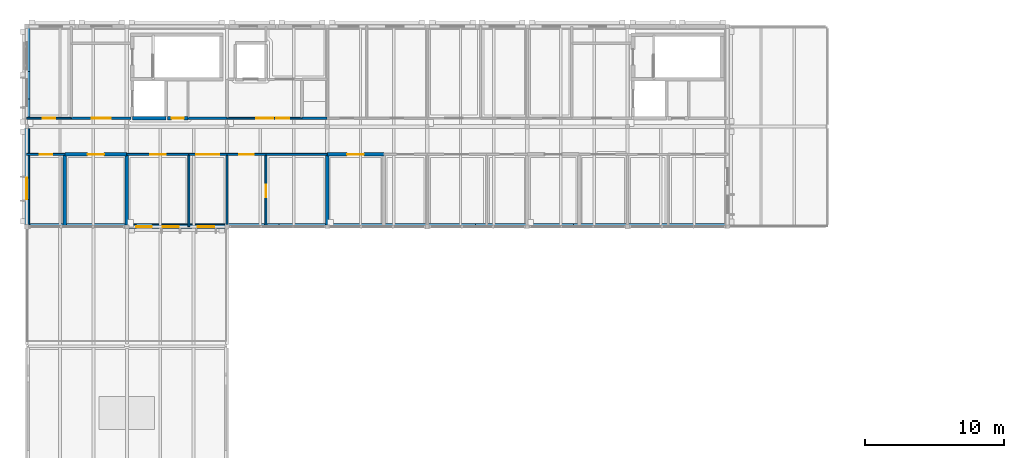
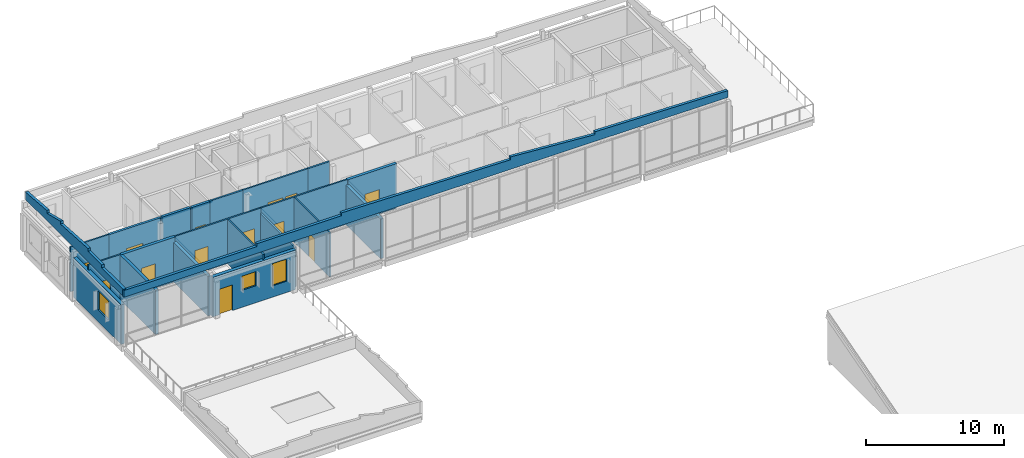
# One storey, part 24 of 32: 24 walls, 13 doors, 3 windows, 16 openings.
"""IFC4 building model written with IfcOpenShell, lengths in metres."""

from ifc_helpers import new_model, si_unit, direction, frame, frame_2d, origin, place, context, subcontext, project, spatial, polyline, rectangle, outline, extrude, material, layer, layer_set, type_object, element, fill, save


model = new_model("IFC4")

# Units and contexts
model_context = context("Model", 3, precision=1e-05, world=origin(), true_north=direction((0.0, 1.0)))
body_context = subcontext(model_context, "Body", "Model", "MODEL_VIEW")
ifc_project = project(units=[si_unit("LENGTHUNIT", "METRE"), si_unit("AREAUNIT", "SQUARE_METRE"), si_unit("VOLUMEUNIT", "CUBIC_METRE"), si_unit("PLANEANGLEUNIT", "RADIAN"), si_unit("MASSUNIT", "GRAM", prefix="KILO")], contexts=[model_context])

# Site, building, storey
site_placement = place(None, origin())
site = spatial("IfcSite", under=ifc_project, at=site_placement, CompositionType="ELEMENT")
building_placement = place(site_placement, origin())
building = spatial("IfcBuilding", under=site, at=building_placement, Name="Hawrajan Terrace Health Centre", CompositionType="ELEMENT")
storey_placement = place(building_placement, frame((0.0, 0.0, 17.39990234375)))
storey = spatial("IfcBuildingStorey", under=building, at=storey_placement, Name="L04", CompositionType="ELEMENT", Elevation=17.39990234375)

# Wall, opening, door
ifc_material_1 = material(Name="Gypsum board on acoustic stud framing")
ifc_layer_1 = layer(ifc_material_1, 0.139892578125)
ifc_layer_set_1 = layer_set([ifc_layer_1], Name="Gypsum board on acoustic stud framing")
wall_type_1 = type_object("IfcWallType", Name="ClinicalAcousticWall_140", PredefinedType="PARTITIONING", material=ifc_layer_set_1)
wall_1_placement = place(storey_placement, frame((4.60009765625, 50.60009765625, 0.0), z_axis=(0.0, 0.0, 1.0), x_axis=(1.0, 0.0, 0.0)))
wall_1 = element("IfcWall", 1, at=wall_1_placement, inside=storey, type_object=wall_type_1, Name="Interior wall IW-L04-1418", PredefinedType="PARTITIONING", context=body_context, shape_type="SweptSolid", body=[
    extrude(rectangle(XDim=2.742919921875, YDim=0.139892578125, at=frame_2d((1.37158203125, 0.0))), origin(), (0.0, 0.0, 1.0), 3.93017578125),
])
opening_1_placement = place(wall_1_placement, frame((0.92138671875, 0.0, 0.0)))
opening_1 = element("IfcOpeningElement", 2, at=opening_1_placement, cuts=wall_1, Name="Opening D-L04-646", PredefinedType="OPENING", context=body_context, shape_type="SweptSolid", body=[
    extrude(rectangle(XDim=0.89990234375, YDim=2.10009765625, at=frame_2d((0.449951171875, 1.050048828125))), frame((0.0, 0.079833984375, 0.0), z_axis=(0.0, -1.0, 0.0), x_axis=(1.0, 0.0, 0.0)), (0.0, 0.0, 1.0), 0.159912109375),
])
ifc_material_2 = material(Name="Hardwood acoustic clinical door leaf and frame", Category="wood")
door_type_1 = type_object("IfcDoorType", Name="PatientWCDoor_900x2100", OperationType="NOTDEFINED", PredefinedType="DOOR", material=ifc_material_2)
door_1_placement = place(opening_1_placement, origin())
door_1 = element("IfcDoor", 3, at=door_1_placement, inside=storey, type_object=door_type_1, Name="Interior door D-L04-646", OperationType="SINGLE_SWING_RIGHT", OverallHeight=2.10009765625, OverallWidth=0.89990234375, PredefinedType="DOOR", context=body_context, shape_type="SweptSolid", body=[
    extrude(rectangle(XDim=0.89990234375, YDim=2.10009765625, at=frame_2d((0.449951171875, 1.050048828125))), frame((0.0, 0.02490234375, 0.0), z_axis=(0.0, -1.0, 0.0), x_axis=(1.0, 0.0, 0.0)), (0.0, 0.0, 1.0), 0.050048828125),
])
fill(opening_1, door_1)

wall_2_placement = place(storey_placement, frame((4.60009765625, 53.199951171875, 0.0), z_axis=(0.0, 0.0, 1.0), x_axis=(1.0, 0.0, 0.0)))
wall_2 = element("IfcWall", 4, at=wall_2_placement, inside=storey, type_object=wall_type_1, Name="Interior wall IW-L04-1419", PredefinedType="PARTITIONING", context=body_context, shape_type="SweptSolid", body=[
    extrude(rectangle(XDim=3.199951171875, YDim=0.139892578125, at=frame_2d((1.60009765625, 0.0))), origin(), (0.0, 0.0, 1.0), 3.93017578125),
])
opening_2_placement = place(wall_2_placement, frame((1.14990234375, 0.0, 0.0)))
opening_2 = element("IfcOpeningElement", 5, at=opening_2_placement, cuts=wall_2, Name="Opening D-L04-648", PredefinedType="OPENING", context=body_context, shape_type="SweptSolid", body=[
    extrude(rectangle(XDim=0.89990234375, YDim=2.10009765625, at=frame_2d((0.449951171875, 1.050048828125))), frame((0.0, 0.079833984375, 0.0), z_axis=(0.0, -1.0, 0.0), x_axis=(1.0, 0.0, 0.0)), (0.0, 0.0, 1.0), 0.159912109375),
])
door_2_placement = place(opening_2_placement, origin())
door_2 = element("IfcDoor", 6, at=door_2_placement, inside=storey, type_object=door_type_1, Name="Interior door D-L04-648", OperationType="SINGLE_SWING_RIGHT", OverallHeight=2.10009765625, OverallWidth=0.89990234375, PredefinedType="DOOR", context=body_context, shape_type="SweptSolid", body=[
    extrude(rectangle(XDim=0.89990234375, YDim=2.10009765625, at=frame_2d((0.449951171875, 1.050048828125))), frame((0.0, 0.02490234375, 0.0), z_axis=(0.0, -1.0, 0.0), x_axis=(1.0, 0.0, 0.0)), (0.0, 0.0, 1.0), 0.050048828125),
])
fill(opening_2, door_2)

wall_3_placement = place(storey_placement, frame((11.800048828125, 50.60009765625, 0.0), z_axis=(0.0, 0.0, 1.0), x_axis=(1.0, 0.0, 0.0)))
wall_3 = element("IfcWall", 7, at=wall_3_placement, inside=storey, type_object=wall_type_1, Name="Interior wall IW-L04-1425", PredefinedType="PARTITIONING", context=body_context, shape_type="SweptSolid", body=[
    extrude(rectangle(XDim=4.45703125, YDim=0.139892578125, at=frame_2d((2.228515625, 0.0))), origin(), (0.0, 0.0, 1.0), 3.93017578125),
])
opening_3_placement = place(wall_3_placement, frame((1.678466796875, 0.0, 0.0)))
opening_3 = element("IfcOpeningElement", 8, at=opening_3_placement, cuts=wall_3, Name="Opening D-L04-649", PredefinedType="OPENING", context=body_context, shape_type="SweptSolid", body=[
    extrude(rectangle(XDim=1.10009765625, YDim=2.10009765625, at=frame_2d((0.550048828125, 1.050048828125))), frame((0.0, 0.079833984375, 0.0), z_axis=(0.0, -1.0, 0.0), x_axis=(1.0, 0.0, 0.0)), (0.0, 0.0, 1.0), 0.159912109375),
])
door_type_2 = type_object("IfcDoorType", Name="ConsultDoor_1100x2100", OperationType="NOTDEFINED", PredefinedType="DOOR", material=ifc_material_2)
door_3_placement = place(opening_3_placement, origin())
door_3 = element("IfcDoor", 9, at=door_3_placement, inside=storey, type_object=door_type_2, Name="Interior door D-L04-649", OperationType="SINGLE_SWING_LEFT", OverallHeight=2.10009765625, OverallWidth=1.10009765625, PredefinedType="DOOR", context=body_context, shape_type="SweptSolid", body=[
    extrude(rectangle(XDim=1.10009765625, YDim=2.10009765625, at=frame_2d((0.550048828125, 1.050048828125))), frame((0.0, 0.02490234375, 0.0), z_axis=(0.0, -1.0, 0.0), x_axis=(1.0, 0.0, 0.0)), (0.0, 0.0, 1.0), 0.050048828125),
])
fill(opening_3, door_3)

# Wall
wall_4_placement = place(storey_placement, frame((16.257080078125, 45.39990234375, 0.0), z_axis=(0.0, 0.0, 1.0), x_axis=(0.0, 1.0, 0.0)))
element("IfcWall", 10, at=wall_4_placement, inside=storey, type_object=wall_type_1, Name="Interior wall IW-L04-1427", PredefinedType="PARTITIONING", context=body_context, shape_type="SweptSolid", body=[
    extrude(rectangle(XDim=5.130126953125, YDim=0.139892578125, at=frame_2d((2.56494140625, 0.0))), origin(), (0.0, 0.0, 1.0), 3.93017578125),
])

# Wall, opening, door
wall_5_placement = place(storey_placement, frame((16.257080078125, 50.60009765625, 0.0), z_axis=(0.0, 0.0, 1.0), x_axis=(1.0, 0.0, 0.0)))
wall_5 = element("IfcWall", 11, at=wall_5_placement, inside=storey, type_object=wall_type_1, Name="Interior wall IW-L04-1428", PredefinedType="PARTITIONING", context=body_context, shape_type="SweptSolid", body=[
    extrude(rectangle(XDim=2.742919921875, YDim=0.139892578125, at=frame_2d((1.37158203125, 0.0))), origin(), (0.0, 0.0, 1.0), 3.93017578125),
])
opening_4_placement = place(wall_5_placement, frame((0.54150390625, 0.0, 0.0)))
opening_4 = element("IfcOpeningElement", 12, at=opening_4_placement, cuts=wall_5, Name="Opening D-L04-650", PredefinedType="OPENING", context=body_context, shape_type="SweptSolid", body=[
    extrude(rectangle(XDim=1.659912109375, YDim=2.300048828125, at=frame_2d((0.830078125, 1.14990234375))), frame((0.0, 0.079833984375, 0.0), z_axis=(0.0, -1.0, 0.0), x_axis=(1.0, 0.0, 0.0)), (0.0, 0.0, 1.0), 0.159912109375),
])
door_type_3 = type_object("IfcDoorType", Name="RehabGymDoor_1660x2300", OperationType="DOUBLE_DOOR_SINGLE_SWING", PredefinedType="DOOR", material=ifc_material_2)
door_4_placement = place(opening_4_placement, origin())
door_4 = element("IfcDoor", 13, at=door_4_placement, inside=storey, type_object=door_type_3, Name="Interior door D-L04-650", OperationType="DOUBLE_DOOR_SINGLE_SWING", OverallHeight=2.300048828125, OverallWidth=1.659912109375, PredefinedType="DOOR", context=body_context, shape_type="SweptSolid", body=[
    extrude(rectangle(XDim=1.659912109375, YDim=2.300048828125, at=frame_2d((0.830078125, 1.14990234375))), frame((0.0, 0.02490234375, 0.0), z_axis=(0.0, -1.0, 0.0), x_axis=(1.0, 0.0, 0.0)), (0.0, 0.0, 1.0), 0.050048828125),
])
fill(opening_4, door_4)

# Wall
wall_6_placement = place(storey_placement, frame((19.0, 45.56005859375, 0.0), z_axis=(0.0, 0.0, 1.0), x_axis=(0.0, 1.0, 0.0)))
element("IfcWall", 14, at=wall_6_placement, inside=storey, type_object=wall_type_1, Name="Interior wall IW-L04-1429", PredefinedType="PARTITIONING", context=body_context, shape_type="SweptSolid", body=[
    extrude(rectangle(XDim=4.969970703125, YDim=0.139892578125, at=frame_2d((2.48486328125, 0.0))), origin(), (0.0, 0.0, 1.0), 3.489990234375),
])

# Wall, opening, door
wall_7_placement = place(storey_placement, frame((19.0, 50.60009765625, 0.0), z_axis=(0.0, 0.0, 1.0), x_axis=(1.0, 0.0, 0.0)))
wall_7 = element("IfcWall", 15, at=wall_7_placement, inside=storey, type_object=wall_type_1, Name="Interior wall IW-L04-1430", PredefinedType="PARTITIONING", context=body_context, shape_type="SweptSolid", body=[
    extrude(rectangle(XDim=2.800048828125, YDim=0.139892578125, at=frame_2d((1.39990234375, 0.0))), origin(), (0.0, 0.0, 1.0), 3.93017578125),
])
opening_5_placement = place(wall_7_placement, frame((0.8798828125, 0.0, 0.0)))
opening_5 = element("IfcOpeningElement", 16, at=opening_5_placement, cuts=wall_7, Name="Opening D-L04-641", PredefinedType="OPENING", context=body_context, shape_type="SweptSolid", body=[
    extrude(rectangle(XDim=1.0400390625, YDim=2.10009765625, at=frame_2d((0.52001953125, 1.050048828125))), frame((0.0, 0.079833984375, 0.0), z_axis=(0.0, -1.0, 0.0), x_axis=(1.0, 0.0, 0.0)), (0.0, 0.0, 1.0), 0.159912109375),
])
door_type_4 = type_object("IfcDoorType", Name="ConsultDoor_1040x2100", OperationType="NOTDEFINED", PredefinedType="DOOR", material=ifc_material_2)
door_5_placement = place(opening_5_placement, origin())
door_5 = element("IfcDoor", 17, at=door_5_placement, inside=storey, type_object=door_type_4, Name="Interior door D-L04-641", OperationType="SINGLE_SWING_LEFT", OverallHeight=2.10009765625, OverallWidth=1.0400390625, PredefinedType="DOOR", context=body_context, shape_type="SweptSolid", body=[
    extrude(rectangle(XDim=1.0400390625, YDim=2.10009765625, at=frame_2d((0.52001953125, 1.050048828125))), frame((0.0, 0.02490234375, 0.0), z_axis=(0.0, -1.0, 0.0), x_axis=(1.0, 0.0, 0.0)), (0.0, 0.0, 1.0), 0.050048828125),
])
fill(opening_5, door_5)

# Wall, openings, doors
wall_8_placement = place(storey_placement, frame((19.0, 53.199951171875, 0.0), z_axis=(0.0, 0.0, 1.0), x_axis=(1.0, 0.0, 0.0)))
wall_8 = element("IfcWall", 18, at=wall_8_placement, inside=storey, type_object=wall_type_1, Name="Interior wall IW-L04-1431", PredefinedType="PARTITIONING", context=body_context, shape_type="SweptSolid", body=[
    extrude(rectangle(XDim=5.39990234375, YDim=0.139892578125, at=frame_2d((2.699951171875, 0.0))), origin(), (0.0, 0.0, 1.0), 3.93017578125),
])
opening_6_placement = place(wall_8_placement, frame((2.090087890625, 0.0, 0.0)))
opening_6 = element("IfcOpeningElement", 19, at=opening_6_placement, cuts=wall_8, Name="Opening D-L04-639", PredefinedType="OPENING", context=body_context, shape_type="SweptSolid", body=[
    extrude(rectangle(XDim=1.219970703125, YDim=2.10009765625, at=frame_2d((0.60986328125, 1.050048828125))), frame((0.0, 0.079833984375, 0.0), z_axis=(0.0, -1.0, 0.0), x_axis=(1.0, 0.0, 0.0)), (0.0, 0.0, 1.0), 0.159912109375),
])
opening_7_placement = place(wall_8_placement, frame((3.544921875, 0.0, 0.0)))
opening_7 = element("IfcOpeningElement", 20, at=opening_7_placement, cuts=wall_8, Name="Opening D-L04-640", PredefinedType="OPENING", context=body_context, shape_type="SweptSolid", body=[
    extrude(rectangle(XDim=0.949951171875, YDim=2.10009765625, at=frame_2d((0.47509765625, 1.050048828125))), frame((0.0, 0.079833984375, 0.0), z_axis=(0.0, -1.0, 0.0), x_axis=(1.0, 0.0, 0.0)), (0.0, 0.0, 1.0), 0.159912109375),
])
door_type_5 = type_object("IfcDoorType", Name="AccessibleWCDoor_950x2100", OperationType="NOTDEFINED", PredefinedType="DOOR", material=ifc_material_2)
door_6_placement = place(opening_7_placement, origin())
door_6 = element("IfcDoor", 21, at=door_6_placement, inside=storey, type_object=door_type_5, Name="Interior door D-L04-640", OperationType="SINGLE_SWING_RIGHT", OverallHeight=2.10009765625, OverallWidth=0.949951171875, PredefinedType="DOOR", context=body_context, shape_type="SweptSolid", body=[
    extrude(rectangle(XDim=0.949951171875, YDim=2.10009765625, at=frame_2d((0.47509765625, 1.050048828125))), frame((0.0, 0.02490234375, 0.0), z_axis=(0.0, -1.0, 0.0), x_axis=(1.0, 0.0, 0.0)), (0.0, 0.0, 1.0), 0.050048828125),
])
fill(opening_7, door_6)
door_type_6 = type_object("IfcDoorType", Name="ConsultDoor_1220x2100", OperationType="NOTDEFINED", PredefinedType="DOOR", material=ifc_material_2)
door_7_placement = place(opening_6_placement, origin())
door_7 = element("IfcDoor", 22, at=door_7_placement, inside=storey, type_object=door_type_6, Name="Interior door D-L04-639", OperationType="SINGLE_SWING_LEFT", OverallHeight=2.10009765625, OverallWidth=1.219970703125, PredefinedType="DOOR", context=body_context, shape_type="SweptSolid", body=[
    extrude(rectangle(XDim=1.219970703125, YDim=2.10009765625, at=frame_2d((0.60986328125, 1.050048828125))), frame((0.0, 0.02490234375, 0.0), z_axis=(0.0, -1.0, 0.0), x_axis=(1.0, 0.0, 0.0)), (0.0, 0.0, 1.0), 0.050048828125),
])
fill(opening_6, door_7)

# Wall, opening, door
wall_9_placement = place(storey_placement, frame((21.800048828125, 45.39990234375, 0.0), z_axis=(0.0, 0.0, 1.0), x_axis=(0.0, 1.0, 0.0)))
wall_9 = element("IfcWall", 23, at=wall_9_placement, inside=storey, type_object=wall_type_1, Name="Interior wall IW-L04-1432", PredefinedType="PARTITIONING", context=body_context, shape_type="SweptSolid", body=[
    extrude(rectangle(XDim=5.130126953125, YDim=0.139892578125, at=frame_2d((2.56494140625, 0.0))), origin(), (0.0, 0.0, 1.0), 3.93017578125),
])
opening_8_placement = place(wall_9_placement, frame((2.114990234375, 0.0, 0.0)))
opening_8 = element("IfcOpeningElement", 24, at=opening_8_placement, cuts=wall_9, Name="Opening D-L04-651", PredefinedType="OPENING", context=body_context, shape_type="SweptSolid", body=[
    extrude(rectangle(XDim=0.89990234375, YDim=2.10009765625, at=frame_2d((0.449951171875, 1.050048828125))), frame((0.0, 0.079833984375, 0.0), z_axis=(0.0, -1.0, 0.0), x_axis=(1.0, 0.0, 0.0)), (0.0, 0.0, 1.0), 0.159912109375),
])
door_8_placement = place(opening_8_placement, origin())
door_8 = element("IfcDoor", 25, at=door_8_placement, inside=storey, type_object=door_type_1, Name="Interior door D-L04-651", OperationType="SINGLE_SWING_LEFT", OverallHeight=2.10009765625, OverallWidth=0.89990234375, PredefinedType="DOOR", context=body_context, shape_type="SweptSolid", body=[
    extrude(rectangle(XDim=0.89990234375, YDim=2.10009765625, at=frame_2d((0.449951171875, 1.050048828125))), frame((0.0, 0.02490234375, 0.0), z_axis=(0.0, -1.0, 0.0), x_axis=(1.0, 0.0, 0.0)), (0.0, 0.0, 1.0), 0.050048828125),
])
fill(opening_8, door_8)

# Walls
wall_10_placement = place(storey_placement, frame((21.800048828125, 50.60009765625, 0.0), z_axis=(0.0, 0.0, 1.0), x_axis=(1.0, 0.0, 0.0)))
element("IfcWall", 26, at=wall_10_placement, inside=storey, type_object=wall_type_1, Name="Interior wall IW-L04-1433", PredefinedType="PARTITIONING", context=body_context, shape_type="SweptSolid", body=[
    extrude(rectangle(XDim=4.39990234375, YDim=0.139892578125, at=frame_2d((2.199951171875, 0.0))), origin(), (0.0, 0.0, 1.0), 3.93017578125),
])
ifc_layer_2 = layer(ifc_material_1, 0.159912109375)
ifc_layer_set_2 = layer_set([ifc_layer_2], Name="Gypsum board on acoustic stud framing")
wall_type_2 = type_object("IfcWallType", Name="CorridorFireWall_160", PredefinedType="PARTITIONING", material=ifc_layer_set_2)
wall_11_placement = place(storey_placement, frame((26.199951171875, 53.199951171875, 0.0), z_axis=(0.0, 0.0, 1.0), x_axis=(-1.0, 0.0, 0.0)))
element("IfcWall", 27, at=wall_11_placement, inside=storey, type_object=wall_type_2, Name="Interior wall IW-L04-1472", PredefinedType="PARTITIONING", context=body_context, shape_type="SweptSolid", body=[
    extrude(rectangle(XDim=1.800048828125, YDim=0.159912109375, at=frame_2d((0.89990234375, 0.0))), origin(), (0.0, 0.0, 1.0), 3.93017578125),
])
wall_12_placement = place(storey_placement, frame((19.0, 53.199951171875, 0.0), z_axis=(0.0, 0.0, 1.0), x_axis=(-1.0, 0.0, 0.0)))
element("IfcWall", 28, at=wall_12_placement, inside=storey, type_object=wall_type_2, Name="Interior wall IW-L04-1473", PredefinedType="PARTITIONING", context=body_context, shape_type="SweptSolid", body=[
    extrude(rectangle(XDim=2.800048828125, YDim=0.159912109375, at=frame_2d((1.39990234375, 0.0))), origin(), (0.0, 0.0, 1.0), 3.93017578125),
])

# Wall, opening, door
ifc_material_3 = material(Name="Cross-laminated timber CLT C24", Category="wood")
ifc_layer_3 = layer(ifc_material_3, 0.199951171875)
ifc_layer_set_3 = layer_set([ifc_layer_3], Name="Cross-laminated timber CLT C24")
wall_type_3 = type_object("IfcWallType", Name="FireCompartmentWall_200", PredefinedType="PARTITIONING", material=ifc_layer_set_3)
wall_13_placement = place(storey_placement, frame((7.800048828125, 53.199951171875, 0.0), z_axis=(0.0, 0.0, 1.0), x_axis=(1.0, 0.0, 0.0)))
wall_13 = element("IfcWall", 29, at=wall_13_placement, inside=storey, type_object=wall_type_3, Name="Interior wall IW-L04-1423", PredefinedType="PARTITIONING", context=body_context, shape_type="SweptSolid", body=[
    extrude(rectangle(XDim=4.2900390625, YDim=0.199951171875, at=frame_2d((2.14501953125, 0.0))), origin(), (0.0, 0.0, 1.0), 3.93017578125),
])
opening_9_placement = place(wall_13_placement, frame((1.465087890625, 0.0, 0.0)))
opening_9 = element("IfcOpeningElement", 30, at=opening_9_placement, cuts=wall_13, Name="Opening D-L04-637", PredefinedType="OPENING", context=body_context, shape_type="SweptSolid", body=[
    extrude(rectangle(XDim=1.360107421875, YDim=2.199951171875, at=frame_2d((0.68017578125, 1.10009765625))), frame((0.0, 0.10986328125, 0.0), z_axis=(0.0, -1.0, 0.0), x_axis=(1.0, 0.0, 0.0)), (0.0, 0.0, 1.0), 0.219970703125),
])
ifc_material_4 = material(Name="Timber-veneered acoustic fire-resisting door assembly", Category="wood")
door_type_7 = type_object("IfcDoorType", Name="FFLobbyDoor_1360x2200", OperationType="NOTDEFINED", PredefinedType="DOOR", material=ifc_material_4)
door_9_placement = place(opening_9_placement, origin())
door_9 = element("IfcDoor", 31, at=door_9_placement, inside=storey, type_object=door_type_7, Name="Interior door D-L04-637", OperationType="SINGLE_SWING_LEFT", OverallHeight=2.199951171875, OverallWidth=1.360107421875, PredefinedType="DOOR", context=body_context, shape_type="SweptSolid", body=[
    extrude(rectangle(XDim=1.360107421875, YDim=2.199951171875, at=frame_2d((0.68017578125, 1.10009765625))), frame((0.0, 0.02490234375, 0.0), z_axis=(0.0, -1.0, 0.0), x_axis=(1.0, 0.0, 0.0)), (0.0, 0.0, 1.0), 0.050048828125),
])
fill(opening_9, door_9)

# Wall, opening, window
ifc_layer_4 = layer(ifc_material_3, 0.2900390625)
ifc_layer_set_4 = layer_set([ifc_layer_4], Name="Cross-laminated timber CLT C24")
wall_type_4 = type_object("IfcWallType", Name="InsulatedTimberFacade_290", PredefinedType="SOLIDWALL", material=ifc_layer_set_4)
wall_14_placement = place(storey_placement, frame((4.60009765625, 45.56005859375, 0.0), z_axis=(0.0, 0.0, 1.0), x_axis=(0.0, 1.0, 0.0)))
wall_14 = element("IfcWall", 32, at=wall_14_placement, inside=storey, type_object=wall_type_4, Name="Exterior wall EW-L04-V00-05-1", PredefinedType="SOLIDWALL", context=body_context, shape_type="SweptSolid", body=[
    extrude(rectangle(XDim=6.89990234375, YDim=0.2900390625, at=frame_2d((3.449951171875, 0.0))), origin(), (0.0, 0.0, 1.0), 3.489990234375),
])
opening_10_placement = place(wall_14_placement, frame((1.81005859375, 0.0, 1.050048828125)))
opening_10 = element("IfcOpeningElement", 33, at=opening_10_placement, cuts=wall_14, Name="Opening W-L04-212", PredefinedType="OPENING", context=body_context, shape_type="SweptSolid", body=[
    extrude(rectangle(XDim=1.5400390625, YDim=1.64990234375, at=frame_2d((0.77001953125, 0.824951171875))), frame((0.0, 0.155029296875, 0.0), z_axis=(0.0, -1.0, 0.0), x_axis=(1.0, 0.0, 0.0)), (0.0, 0.0, 1.0), 0.31005859375),
])
ifc_material_5 = material(Name="Anodized bronze frame with double low-E glazing", Category="glass")
window_type_1 = type_object("IfcWindowType", Name="FacadeWindow_1540x1650", PartitioningType="DOUBLE_PANEL_VERTICAL", PredefinedType="WINDOW", material=ifc_material_5)
window_1_placement = place(opening_10_placement, origin())
window_1 = element("IfcWindow", 34, at=window_1_placement, inside=storey, type_object=window_type_1, Name="Window W-L04-212", OverallHeight=1.64990234375, OverallWidth=1.5400390625, PartitioningType="DOUBLE_PANEL_VERTICAL", PredefinedType="WINDOW", context=body_context, shape_type="SweptSolid", body=[
    extrude(rectangle(XDim=1.5400390625, YDim=1.64990234375, at=frame_2d((0.77001953125, 0.824951171875))), frame((0.0, 0.030029296875, 0.0), z_axis=(0.0, -1.0, 0.0), x_axis=(1.0, 0.0, 0.0)), (0.0, 0.0, 1.0), 0.06005859375),
])
fill(opening_10, window_1)

# Wall, openings, windows, door
wall_15_placement = place(storey_placement, frame((11.93994140625, 45.39990234375, 0.0), z_axis=(0.0, 0.0, 1.0), x_axis=(1.0, 0.0, 0.0)))
wall_15 = element("IfcWall", 35, at=wall_15_placement, inside=storey, type_object=wall_type_4, Name="Exterior wall EW-L04-H01-05-1", PredefinedType="SOLIDWALL", context=body_context, shape_type="SweptSolid", body=[
    extrude(rectangle(XDim=6.900146484375, YDim=0.2900390625, at=frame_2d((3.4501953125, 0.0))), origin(), (0.0, 0.0, 1.0), 3.489990234375),
])
opening_11_placement = place(wall_15_placement, frame((0.550048828125, 0.0, 0.0)))
opening_11 = element("IfcOpeningElement", 36, at=opening_11_placement, cuts=wall_15, Name="Opening D-L04-E025", PredefinedType="OPENING", context=body_context, shape_type="SweptSolid", body=[
    extrude(rectangle(XDim=1.10009765625, YDim=2.25, at=frame_2d((0.550048828125, 1.125))), frame((0.0, 0.155029296875, 0.0), z_axis=(0.0, -1.0, 0.0), x_axis=(1.0, 0.0, 0.0)), (0.0, 0.0, 1.0), 0.31005859375),
])
opening_12_placement = place(wall_15_placement, frame((2.4384765625, 0.0, 1.5)))
opening_12 = element("IfcOpeningElement", 37, at=opening_12_placement, cuts=wall_15, Name="Opening W-L04-217", PredefinedType="OPENING", context=body_context, shape_type="SweptSolid", body=[
    extrude(rectangle(XDim=1.14990234375, YDim=1.25, at=frame_2d((0.574951171875, 0.625))), frame((0.0, 0.155029296875, 0.0), z_axis=(0.0, -1.0, 0.0), x_axis=(1.0, 0.0, 0.0)), (0.0, 0.0, 1.0), 0.31005859375),
])
opening_13_placement = place(wall_15_placement, frame((4.948486328125, 0.0, 1.0)))
opening_13 = element("IfcOpeningElement", 38, at=opening_13_placement, cuts=wall_15, Name="Opening W-L04-218", PredefinedType="OPENING", context=body_context, shape_type="SweptSolid", body=[
    extrude(rectangle(XDim=1.199951171875, YDim=1.949951171875, at=frame_2d((0.60009765625, 0.97509765625))), frame((0.0, 0.155029296875, 0.0), z_axis=(0.0, -1.0, 0.0), x_axis=(1.0, 0.0, 0.0)), (0.0, 0.0, 1.0), 0.31005859375),
])
window_type_2 = type_object("IfcWindowType", Name="FacadeWindow_1150x1250", PartitioningType="SINGLE_PANEL", PredefinedType="WINDOW", material=ifc_material_5)
window_2_placement = place(opening_12_placement, origin())
window_2 = element("IfcWindow", 39, at=window_2_placement, inside=storey, type_object=window_type_2, Name="Window W-L04-217", OverallHeight=1.25, OverallWidth=1.14990234375, PartitioningType="SINGLE_PANEL", PredefinedType="WINDOW", context=body_context, shape_type="SweptSolid", body=[
    extrude(rectangle(XDim=1.14990234375, YDim=1.25, at=frame_2d((0.574951171875, 0.625))), frame((0.0, 0.030029296875, 0.0), z_axis=(0.0, -1.0, 0.0), x_axis=(1.0, 0.0, 0.0)), (0.0, 0.0, 1.0), 0.06005859375),
])
fill(opening_12, window_2)
window_type_3 = type_object("IfcWindowType", Name="FacadeWindow_1200x1950", PartitioningType="SINGLE_PANEL", PredefinedType="WINDOW", material=ifc_material_5)
window_3_placement = place(opening_13_placement, origin())
window_3 = element("IfcWindow", 40, at=window_3_placement, inside=storey, type_object=window_type_3, Name="Window W-L04-218", OverallHeight=1.949951171875, OverallWidth=1.199951171875, PartitioningType="SINGLE_PANEL", PredefinedType="WINDOW", context=body_context, shape_type="SweptSolid", body=[
    extrude(rectangle(XDim=1.199951171875, YDim=1.949951171875, at=frame_2d((0.60009765625, 0.97509765625))), frame((0.0, 0.030029296875, 0.0), z_axis=(0.0, -1.0, 0.0), x_axis=(1.0, 0.0, 0.0)), (0.0, 0.0, 1.0), 0.06005859375),
])
fill(opening_13, window_3)
ifc_material_6 = material(Name="Anodized bronze thermally broken fire-rated glazed door")
door_type_8 = type_object("IfcDoorType", Name="TerraceAccessDoor_1100x2250", OperationType="NOTDEFINED", PredefinedType="DOOR", material=ifc_material_6)
door_10_placement = place(opening_11_placement, frame((1.10009765625, 0.0, 0.0), z_axis=(0.0, 0.0, 1.0), x_axis=(-1.0, 0.0, 0.0)))
door_10 = element("IfcDoor", 41, at=door_10_placement, inside=storey, type_object=door_type_8, Name="Cardiology South Terrace Door D-L04-E025", OperationType="SINGLE_SWING_LEFT", OverallHeight=2.25, OverallWidth=1.10009765625, PredefinedType="DOOR", context=body_context, shape_type="SweptSolid", body=[
    extrude(rectangle(XDim=1.10009765625, YDim=2.25, at=frame_2d((0.550048828125, 1.125))), frame((0.0, 0.02490234375, 0.0), z_axis=(0.0, -1.0, 0.0), x_axis=(1.0, 0.0, 0.0)), (0.0, 0.0, 1.0), 0.050048828125),
])
fill(opening_11, door_10)

# Wall
ifc_material_7 = material(Name="Concrete C40/50", Category="concrete")
ifc_layer_5 = layer(ifc_material_7, 0.25)
ifc_layer_set_5 = layer_set([ifc_layer_5], Name="Concrete C40/50")
wall_type_5 = type_object("IfcWallType", Name="RadiationShieldWall_RC250", PredefinedType="SOLIDWALL", material=ifc_layer_set_5)
wall_16_placement = place(storey_placement, frame((7.343017578125, 45.39990234375, 0.0), z_axis=(0.0, 0.0, 1.0), x_axis=(0.0, 1.0, 0.0)))
element("IfcWall", 42, at=wall_16_placement, inside=storey, type_object=wall_type_5, Name="Interior wall IW-L04-1420", PredefinedType="SOLIDWALL", context=body_context, shape_type="SweptSolid", body=[
    extrude(rectangle(XDim=5.130126953125, YDim=0.25, at=frame_2d((2.56494140625, 0.0))), origin(), (0.0, 0.0, 1.0), 3.93017578125),
])

# Wall, opening, door
wall_17_placement = place(storey_placement, frame((7.343017578125, 50.60009765625, 0.0), z_axis=(0.0, 0.0, 1.0), x_axis=(1.0, 0.0, 0.0)))
wall_17 = element("IfcWall", 43, at=wall_17_placement, inside=storey, type_object=wall_type_5, Name="Interior wall IW-L04-1421", PredefinedType="SOLIDWALL", context=body_context, shape_type="SweptSolid", body=[
    extrude(rectangle(XDim=4.45703125, YDim=0.25, at=frame_2d((2.228515625, 0.0))), origin(), (0.0, 0.0, 1.0), 3.93017578125),
])
opening_14_placement = place(wall_17_placement, frame((1.62841796875, 0.0, 0.0)))
opening_14 = element("IfcOpeningElement", 44, at=opening_14_placement, cuts=wall_17, Name="Opening D-L04-647", PredefinedType="OPENING", context=body_context, shape_type="SweptSolid", body=[
    extrude(rectangle(XDim=1.199951171875, YDim=2.14990234375, at=frame_2d((0.60009765625, 1.074951171875))), frame((0.0, 0.135009765625, 0.0), z_axis=(0.0, -1.0, 0.0), x_axis=(1.0, 0.0, 0.0)), (0.0, 0.0, 1.0), 0.27001953125),
])
door_type_9 = type_object("IfcDoorType", Name="PharmacyFireDoor_1200x2150", OperationType="NOTDEFINED", PredefinedType="DOOR", material=ifc_material_4)
door_11_placement = place(opening_14_placement, origin())
door_11 = element("IfcDoor", 45, at=door_11_placement, inside=storey, type_object=door_type_9, Name="Interior door D-L04-647", OperationType="SINGLE_SWING_LEFT", OverallHeight=2.14990234375, OverallWidth=1.199951171875, PredefinedType="DOOR", context=body_context, shape_type="SweptSolid", body=[
    extrude(rectangle(XDim=1.199951171875, YDim=2.14990234375, at=frame_2d((0.60009765625, 1.074951171875))), frame((0.0, 0.02490234375, 0.0), z_axis=(0.0, -1.0, 0.0), x_axis=(1.0, 0.0, 0.0)), (0.0, 0.0, 1.0), 0.050048828125),
])
fill(opening_14, door_11)

# Walls
for number, where, z_axis, x_axis, name in (
    (46, (11.800048828125, 45.5400390625, 0.0), (0.0, 0.0, 1.0), (0.0, 1.0, 0.0), "Interior wall IW-L04-1424"),
    (47, (26.199951171875, 45.5400390625, 0.0), (0.0, 0.0, 1.0), (0.0, 1.0, 0.0), "Interior wall IW-L04-1435"),
):
    element("IfcWall", number, at=place(storey_placement, frame(where, z_axis=z_axis, x_axis=x_axis)), inside=storey, type_object=wall_type_5, Name=name, PredefinedType="SOLIDWALL", context=body_context, shape_type="SweptSolid", body=[
        extrude(rectangle(XDim=4.989990234375, YDim=0.25, at=frame_2d((2.4951171875, 0.0))), origin(), (0.0, 0.0, 1.0), 3.489990234375),
    ])

# Wall, opening, door
wall_18_placement = place(storey_placement, frame((26.199951171875, 50.60009765625, 0.0), z_axis=(0.0, 0.0, 1.0), x_axis=(1.0, 0.0, 0.0)))
wall_18 = element("IfcWall", 48, at=wall_18_placement, inside=storey, type_object=wall_type_5, Name="Interior wall IW-L04-1436", PredefinedType="SOLIDWALL", context=body_context, shape_type="SweptSolid", body=[
    extrude(rectangle(XDim=4.090087890625, YDim=0.25, at=frame_2d((2.044921875, 0.0))), origin(), (0.0, 0.0, 1.0), 3.93017578125),
])
opening_15_placement = place(wall_18_placement, frame((1.445068359375, 0.0, 0.0)))
opening_15 = element("IfcOpeningElement", 49, at=opening_15_placement, cuts=wall_18, Name="Opening D-L04-653", PredefinedType="OPENING", context=body_context, shape_type="SweptSolid", body=[
    extrude(rectangle(XDim=1.199951171875, YDim=2.14990234375, at=frame_2d((0.60009765625, 1.074951171875))), frame((0.0, 0.135009765625, 0.0), z_axis=(0.0, -1.0, 0.0), x_axis=(1.0, 0.0, 0.0)), (0.0, 0.0, 1.0), 0.27001953125),
])
door_12_placement = place(opening_15_placement, origin())
door_12 = element("IfcDoor", 50, at=door_12_placement, inside=storey, type_object=door_type_9, Name="Interior door D-L04-653", OperationType="SINGLE_SWING_LEFT", OverallHeight=2.14990234375, OverallWidth=1.199951171875, PredefinedType="DOOR", context=body_context, shape_type="SweptSolid", body=[
    extrude(rectangle(XDim=1.199951171875, YDim=2.14990234375, at=frame_2d((0.60009765625, 1.074951171875))), frame((0.0, 0.02490234375, 0.0), z_axis=(0.0, -1.0, 0.0), x_axis=(1.0, 0.0, 0.0)), (0.0, 0.0, 1.0), 0.050048828125),
])
fill(opening_15, door_12)

# Wall
ifc_layer_6 = layer(ifc_material_7, 0.219970703125)
ifc_layer_set_6 = layer_set([ifc_layer_6], Name="Concrete C40/50")
wall_type_6 = type_object("IfcWallType", Name="ShaftWall_RC220", PredefinedType="SOLIDWALL", material=ifc_layer_set_6)
wall_19_placement = place(storey_placement, frame((12.199951171875, 53.199951171875, 0.0), z_axis=(0.0, 0.0, 1.0), x_axis=(1.0, 0.0, 0.0)))
element("IfcWall", 51, at=wall_19_placement, inside=storey, type_object=wall_type_6, Name="Lift shaft wall LW-LC-01-L04-S", PredefinedType="SOLIDWALL", context=body_context, shape_type="SweptSolid", body=[
    extrude(rectangle(XDim=2.400146484375, YDim=0.219970703125, at=frame_2d((1.2001953125, 0.0))), origin(), (0.0, 0.0, 1.0), 3.9501953125),
])

# Wall, opening, door
wall_20_placement = place(storey_placement, frame((14.7099609375, 53.199951171875, 0.0), z_axis=(0.0, 0.0, 1.0), x_axis=(1.0, 0.0, 0.0)))
wall_20 = element("IfcWall", 52, at=wall_20_placement, inside=storey, type_object=wall_type_6, Name="Interior wall IW-L04-1426", PredefinedType="SOLIDWALL", context=body_context, shape_type="SweptSolid", body=[
    extrude(rectangle(XDim=1.489990234375, YDim=0.219970703125, at=frame_2d((0.7451171875, 0.0))), origin(), (0.0, 0.0, 1.0), 3.93017578125),
])
opening_16_placement = place(wall_20_placement, frame((0.304931640625, 0.0, 0.0)))
opening_16 = element("IfcOpeningElement", 53, at=opening_16_placement, cuts=wall_20, Name="Opening D-L04-642", PredefinedType="OPENING", context=body_context, shape_type="SweptSolid", body=[
    extrude(rectangle(XDim=0.8798828125, YDim=2.050048828125, at=frame_2d((0.43994140625, 1.02490234375))), frame((0.0, 0.119873046875, 0.0), z_axis=(0.0, -1.0, 0.0), x_axis=(1.0, 0.0, 0.0)), (0.0, 0.0, 1.0), 0.239990234375),
])
door_type_10 = type_object("IfcDoorType", Name="RiserAccessDoor_880x2050", OperationType="NOTDEFINED", PredefinedType="DOOR", material=ifc_material_4)
door_13_placement = place(opening_16_placement, origin())
door_13 = element("IfcDoor", 54, at=door_13_placement, inside=storey, type_object=door_type_10, Name="Service riser access door D-L04-642", OperationType="SINGLE_SWING_RIGHT", OverallHeight=2.050048828125, OverallWidth=0.8798828125, PredefinedType="DOOR", context=body_context, shape_type="SweptSolid", body=[
    extrude(rectangle(XDim=0.8798828125, YDim=2.050048828125, at=frame_2d((0.43994140625, 1.02490234375))), frame((0.0, 0.02490234375, 0.0), z_axis=(0.0, -1.0, 0.0), x_axis=(1.0, 0.0, 0.0)), (0.0, 0.0, 1.0), 0.050048828125),
])
fill(opening_16, door_13)

# Walls
ifc_material_8 = material(Name="Precast concrete C40/50", Category="concrete")
ifc_layer_7 = layer(ifc_material_8, 0.22998046875)
ifc_layer_set_7 = layer_set([ifc_layer_7], Name="Precast concrete C40/50")
wall_type_7 = type_object("IfcWallType", Name="ZigguratParapet_230", PredefinedType="PARAPET", material=ifc_layer_set_7)
wall_21_placement = place(storey_placement, frame((4.60009765625, 45.52001953125, 4.2001953125), z_axis=(0.0, 0.0, 1.0), x_axis=(1.0, 0.0, 0.0)))
element("IfcWall", 55, at=wall_21_placement, inside=storey, type_object=wall_type_7, Name="Stepped Art Deco parapet PAR-RF-S", PredefinedType="PARAPET", context=body_context, shape_type="SweptSolid", body=[
    extrude(outline(polyline([(0.0, 0.0), (50.39990234375, 0.0), (50.39990234375, 0.599853515625), (39.31201171875, 0.849853515625), (39.31201171875, 0.599853515625), (32.256103515625, 1.099853515625), (32.256103515625, 0.849853515625), (18.14404296875, 1.099853515625), (18.14404296875, 0.849853515625), (11.087890625, 0.849853515625), (11.087890625, 0.599853515625), (0.0, 0.599853515625), (0.0, 0.0)])), frame((0.0, 0.114990234375, 0.0), z_axis=(0.0, -1.0, 0.0), x_axis=(1.0, 0.0, 0.0)), (0.0, 0.0, 1.0), 0.22998046875),
])
wall_22_placement = place(storey_placement, frame((4.719970703125, 45.52001953125, 4.2001953125), z_axis=(0.0, 0.0, 1.0), x_axis=(0.0, 1.0, 0.0)))
element("IfcWall", 56, at=wall_22_placement, inside=storey, type_object=wall_type_7, Name="Stepped Art Deco parapet PAR-RF-W", PredefinedType="PARAPET", context=body_context, shape_type="SweptSolid", body=[
    extrude(outline(polyline([(0.0, 0.0), (14.159912109375, 0.0), (14.159912109375, 0.64990234375), (11.044921875, 0.89990234375), (11.044921875, 0.64990234375), (9.0625, 1.14990234375), (9.0625, 0.89990234375), (5.09765625, 1.14990234375), (5.09765625, 0.89990234375), (3.115234375, 0.89990234375), (3.115234375, 0.64990234375), (0.0, 0.64990234375), (0.0, 0.0)])), frame((0.0, 0.114990234375, 0.0), z_axis=(0.0, -1.0, 0.0), x_axis=(1.0, 0.0, 0.0)), (0.0, 0.0, 1.0), 0.22998046875),
])

save(model, "model.ifc")
